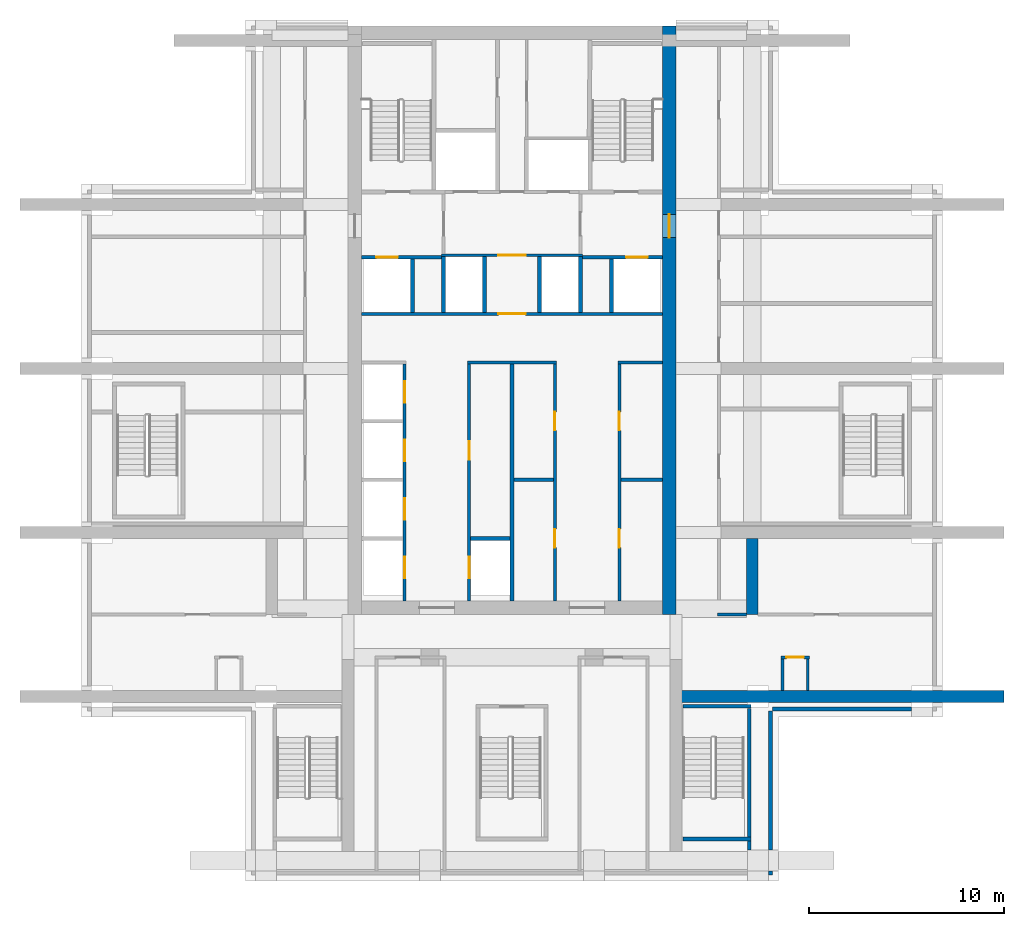
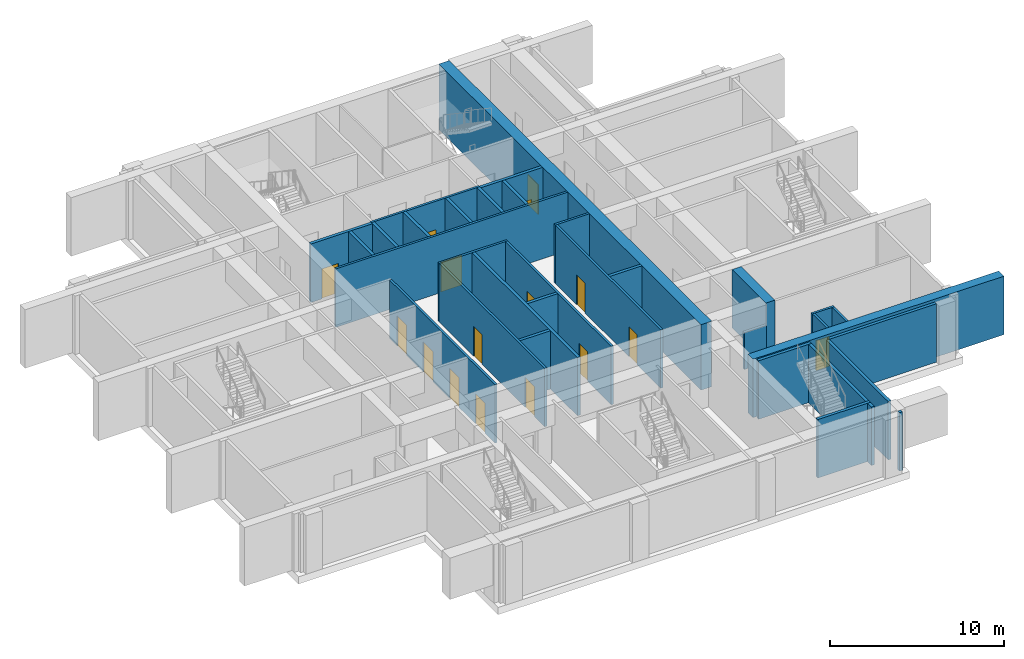
# One storey, part 3 of 10: 33 walls, 16 doors, 16 openings.
"""IFC4 building model written with IfcOpenShell, lengths in metres."""

from ifc_helpers import new_model, si_unit, direction, frame, frame_2d, origin, place, context, subcontext, project, spatial, rectangle, extrude, material, layer, layer_set, type_object, element, fill, save


model = new_model("IFC4")

# Units and contexts
model_context = context("Model", 3, precision=1e-05, world=origin(), true_north=direction((0.0, 1.0)))
body_context = subcontext(model_context, "Body", "Model", "MODEL_VIEW")
ifc_project = project(units=[si_unit("LENGTHUNIT", "METRE"), si_unit("AREAUNIT", "SQUARE_METRE"), si_unit("VOLUMEUNIT", "CUBIC_METRE"), si_unit("PLANEANGLEUNIT", "RADIAN"), si_unit("MASSUNIT", "GRAM", prefix="KILO")], contexts=[model_context])

# Site, building, storey
site_placement = place(None, origin())
site = spatial("IfcSite", under=ifc_project, at=site_placement, CompositionType="ELEMENT")
building_placement = place(site_placement, origin())
building = spatial("IfcBuilding", under=site, at=building_placement, Name="Vermilion Ogive Tower", CompositionType="ELEMENT")
storey_placement = place(building_placement, frame((0.0, 0.0, 171.050048828125)))
storey = spatial("IfcBuildingStorey", under=building, at=storey_placement, Name="L44", CompositionType="ELEMENT", Elevation=171.050048828125)

# Wall
ifc_material_1 = material(Name="Concrete B60", Category="concrete")
ifc_layer_1 = layer(ifc_material_1, 0.60009765625)
ifc_layer_set_1 = layer_set([ifc_layer_1], Name="Outrigger wall 600 B60")
wall_type_1 = type_object("IfcWallType", Name="Outrigger wall 600 B60", PredefinedType="SHEAR", material=ifc_layer_set_1)
wall_1_placement = place(storey_placement, frame((8.550048828125, -12.60009765625, 0.0), z_axis=(0.0, 0.0, 1.0), x_axis=(1.0, 0.0, 0.0)))
element("IfcWall", 1, at=wall_1_placement, inside=storey, type_object=wall_type_1, Name="L44-OW-EWE-12.6", PredefinedType="SHEAR", context=body_context, shape_type="SweptSolid", body=[
    extrude(rectangle(XDim=16.64990234375, YDim=0.60009765625, at=frame_2d((8.324951171875, 0.0))), origin(), (0.0, 0.0, 1.0), 4.099853515625),
])

# Wall, opening, door
ifc_material_2 = material(Name="Gypsum board partition on steel studs", Category="steel")
ifc_layer_2 = layer(ifc_material_2, 0.14990234375)
ifc_layer_set_2 = layer_set([ifc_layer_2], Name="Partition 150 corridor")
wall_type_2 = type_object("IfcWallType", Name="Partition 150 corridor", PredefinedType="PARTITIONING", material=ifc_layer_set_2)
wall_2_placement = place(storey_placement, frame((13.77490234375, -10.60009765625, 0.0), z_axis=(0.0, 0.0, 1.0), x_axis=(1.0, 0.0, 0.0)))
wall_2 = element("IfcWall", 2, at=wall_2_placement, inside=storey, type_object=wall_type_2, Name="L44-FS-W-W004", PredefinedType="PARTITIONING", context=body_context, shape_type="SweptSolid", body=[
    extrude(rectangle(XDim=1.4501953125, YDim=0.14990234375, at=frame_2d((0.72509765625, 0.0))), origin(), (0.0, 0.0, 1.0), 4.099853515625),
])
opening_1_placement = place(wall_2_placement, frame((0.275146484375, 0.0, 0.0)))
opening_1 = element("IfcOpeningElement", 3, at=opening_1_placement, cuts=wall_2, Name="Opening L44S016", PredefinedType="OPENING", context=body_context, shape_type="SweptSolid", body=[
    extrude(rectangle(XDim=0.89990234375, YDim=2.10009765625, at=frame_2d((0.449951171875, 1.050048828125))), frame((0.0, 0.0849609375, 0.0), z_axis=(0.0, -1.0, 0.0), x_axis=(1.0, 0.0, 0.0)), (0.0, 0.0, 1.0), 0.169921875),
])
ifc_material_3 = material(Name="Timber door leaf", Category="wood")
door_type_1 = type_object("IfcDoorType", Name="Room door 900 x 2100 FD30", OperationType="SINGLE_SWING_LEFT", PredefinedType="DOOR", material=ifc_material_3)
door_1_placement = place(opening_1_placement, origin())
door_1 = element("IfcDoor", 4, at=door_1_placement, inside=storey, type_object=door_type_1, Name="L44-FS-D-D016", OperationType="SINGLE_SWING_RIGHT", OverallHeight=2.10009765625, OverallWidth=0.89990234375, PredefinedType="DOOR", context=body_context, shape_type="SweptSolid", body=[
    extrude(rectangle(XDim=0.89990234375, YDim=2.10009765625, at=frame_2d((0.449951171875, 1.050048828125))), frame((0.0, 0.02490234375, 0.0), z_axis=(0.0, -1.0, 0.0), x_axis=(1.0, 0.0, 0.0)), (0.0, 0.0, 1.0), 0.050048828125),
])
fill(opening_1, door_1)

# Walls
wall_3_placement = place(storey_placement, frame((10.52490234375, -8.39990234375, 0.0), z_axis=(0.0, 0.0, 1.0), x_axis=(1.0, 0.0, 0.0)))
element("IfcWall", 5, at=wall_3_placement, inside=storey, type_object=wall_type_2, Name="L44-FS-W-W006a", PredefinedType="PARTITIONING", context=body_context, shape_type="SweptSolid", body=[
    extrude(rectangle(XDim=1.47412109375, YDim=0.14990234375, at=frame_2d((0.737060546875, 0.0))), origin(), (0.0, 0.0, 1.0), 2.599853515625),
])
for number, where, z_axis, x_axis, name in (
    (6, (13.85009765625, -12.299072265625, 0.0), (0.0, 0.0, 1.0), (0.0, 1.0, 0.0), "L44-FS-W-W027"),
    (7, (15.14990234375, -12.299072265625, 0.0), (0.0, 0.0, 1.0), (0.0, 1.0, 0.0), "L44-FS-W-W028"),
):
    element("IfcWall", number, at=place(storey_placement, frame(where, z_axis=z_axis, x_axis=x_axis)), inside=storey, type_object=wall_type_2, Name=name, PredefinedType="PARTITIONING", context=body_context, shape_type="SweptSolid", body=[
        extrude(rectangle(XDim=1.6240234375, YDim=0.14990234375, at=frame_2d((0.81201171875, 0.0))), origin(), (0.0, 0.0, 1.0), 4.099853515625),
    ])
wall_4_placement = place(storey_placement, frame((-2.27490234375, 4.5, 0.0), z_axis=(0.0, 0.0, 1.0), x_axis=(1.0, 0.0, 0.0)))
element("IfcWall", 8, at=wall_4_placement, inside=storey, type_object=wall_type_2, Name="L44-CK-W-W008", PredefinedType="PARTITIONING", context=body_context, shape_type="SweptSolid", body=[
    extrude(rectangle(XDim=4.5498046875, YDim=0.14990234375, at=frame_2d((2.27490234375, 0.0))), origin(), (0.0, 0.0, 1.0), 4.099853515625),
])
wall_5_placement = place(storey_placement, frame((5.425048828125, 4.5, 0.0), z_axis=(0.0, 0.0, 1.0), x_axis=(1.0, 0.0, 0.0)))
element("IfcWall", 9, at=wall_5_placement, inside=storey, type_object=wall_type_2, Name="L44-CK-W-W009", PredefinedType="PARTITIONING", context=body_context, shape_type="SweptSolid", body=[
    extrude(rectangle(XDim=2.27392578125, YDim=0.14990234375, at=frame_2d((1.136962890625, 0.0))), origin(), (0.0, 0.0, 1.0), 4.099853515625),
])

# Wall, opening, door
wall_6_placement = place(storey_placement, frame((-7.698974609375, 7.0, 0.0), z_axis=(0.0, 0.0, 1.0), x_axis=(1.0, 0.0, 0.0)))
wall_6 = element("IfcWall", 10, at=wall_6_placement, inside=storey, type_object=wall_type_2, Name="L44-CK-W-W010", PredefinedType="PARTITIONING", context=body_context, shape_type="SweptSolid", body=[
    extrude(rectangle(XDim=15.39794921875, YDim=0.14990234375, at=frame_2d((7.698974609375, 0.0))), origin(), (0.0, 0.0, 1.0), 4.099853515625),
])
opening_2_placement = place(wall_6_placement, frame((6.9990234375, 0.0, 0.0)))
opening_2 = element("IfcOpeningElement", 11, at=opening_2_placement, cuts=wall_6, Name="Opening DAF025", PredefinedType="OPENING", context=body_context, shape_type="SweptSolid", body=[
    extrude(rectangle(XDim=1.39990234375, YDim=2.10009765625, at=frame_2d((0.699951171875, 1.050048828125))), frame((0.0, 0.0849609375, 0.0), z_axis=(0.0, -1.0, 0.0), x_axis=(1.0, 0.0, 0.0)), (0.0, 0.0, 1.0), 0.169921875),
])
ifc_material_4 = material(Name="Timber door leaf", Category="wood")
door_type_2 = type_object("IfcDoorType", Name="Lobby door 1400 x 2100 FD60S", OperationType="SINGLE_SWING_LEFT", PredefinedType="DOOR", material=ifc_material_4)
door_2_placement = place(opening_2_placement, origin())
door_2 = element("IfcDoor", 12, at=door_2_placement, inside=storey, type_object=door_type_2, Name="L44-CK-D-D015", OperationType="SINGLE_SWING_RIGHT", OverallHeight=2.10009765625, OverallWidth=1.39990234375, PredefinedType="DOOR", context=body_context, shape_type="SweptSolid", body=[
    extrude(rectangle(XDim=1.39990234375, YDim=2.10009765625, at=frame_2d((0.699951171875, 1.050048828125))), frame((0.0, 0.02490234375, 0.0), z_axis=(0.0, -1.0, 0.0), x_axis=(1.0, 0.0, 0.0)), (0.0, 0.0, 1.0), 0.050048828125),
])
fill(opening_2, door_2)

wall_7_placement = place(storey_placement, frame((-3.60009765625, 10.0, 0.0), z_axis=(0.0, 0.0, 1.0), x_axis=(1.0, 0.0, 0.0)))
wall_7 = element("IfcWall", 13, at=wall_7_placement, inside=storey, type_object=wall_type_2, Name="L44-CK-W-W013", PredefinedType="PARTITIONING", context=body_context, shape_type="SweptSolid", body=[
    extrude(rectangle(XDim=7.2001953125, YDim=0.14990234375, at=frame_2d((3.60009765625, 0.0))), origin(), (0.0, 0.0, 1.0), 4.099853515625),
])
opening_3_placement = place(wall_7_placement, frame((2.900146484375, 0.0, 0.0)))
opening_3 = element("IfcOpeningElement", 14, at=opening_3_placement, cuts=wall_7, Name="Opening DAF026", PredefinedType="OPENING", context=body_context, shape_type="SweptSolid", body=[
    extrude(rectangle(XDim=1.39990234375, YDim=2.10009765625, at=frame_2d((0.699951171875, 1.050048828125))), frame((0.0, 0.0849609375, 0.0), z_axis=(0.0, -1.0, 0.0), x_axis=(1.0, 0.0, 0.0)), (0.0, 0.0, 1.0), 0.169921875),
])
door_3_placement = place(opening_3_placement, origin())
door_3 = element("IfcDoor", 15, at=door_3_placement, inside=storey, type_object=door_type_2, Name="L44-CK-D-D016", OperationType="SINGLE_SWING_RIGHT", OverallHeight=2.10009765625, OverallWidth=1.39990234375, PredefinedType="DOOR", context=body_context, shape_type="SweptSolid", body=[
    extrude(rectangle(XDim=1.39990234375, YDim=2.10009765625, at=frame_2d((0.699951171875, 1.050048828125))), frame((0.0, 0.02490234375, 0.0), z_axis=(0.0, -1.0, 0.0), x_axis=(1.0, 0.0, 0.0)), (0.0, 0.0, 1.0), 0.050048828125),
])
fill(opening_3, door_3)

# Wall, openings, doors
wall_8_placement = place(storey_placement, frame((-5.5, -7.698974609375, 0.0), z_axis=(0.0, 0.0, 1.0), x_axis=(0.0, 1.0, 0.0)))
wall_8 = element("IfcWall", 16, at=wall_8_placement, inside=storey, type_object=wall_type_2, Name="L44-CK-W-W019", PredefinedType="PARTITIONING", context=body_context, shape_type="SweptSolid", body=[
    extrude(rectangle(XDim=12.1240234375, YDim=0.14990234375, at=frame_2d((6.06201171875, 0.0))), origin(), (0.0, 0.0, 1.0), 4.099853515625),
])
opening_4_placement = place(wall_8_placement, frame((1.14892578125, 0.0, 0.0)))
opening_4 = element("IfcOpeningElement", 17, at=opening_4_placement, cuts=wall_8, Name="Opening DAF037", PredefinedType="OPENING", context=body_context, shape_type="SweptSolid", body=[
    extrude(rectangle(XDim=1.10009765625, YDim=2.10009765625, at=frame_2d((0.550048828125, 1.050048828125))), frame((0.0, 0.0849609375, 0.0), z_axis=(0.0, -1.0, 0.0), x_axis=(1.0, 0.0, 0.0)), (0.0, 0.0, 1.0), 0.169921875),
])
opening_5_placement = place(wall_8_placement, frame((4.14892578125, 0.0, 0.0)))
opening_5 = element("IfcOpeningElement", 18, at=opening_5_placement, cuts=wall_8, Name="Opening DAF038", PredefinedType="OPENING", context=body_context, shape_type="SweptSolid", body=[
    extrude(rectangle(XDim=1.10009765625, YDim=2.10009765625, at=frame_2d((0.550048828125, 1.050048828125))), frame((0.0, 0.0849609375, 0.0), z_axis=(0.0, -1.0, 0.0), x_axis=(1.0, 0.0, 0.0)), (0.0, 0.0, 1.0), 0.169921875),
])
opening_6_placement = place(wall_8_placement, frame((7.14892578125, 0.0, 0.0)))
opening_6 = element("IfcOpeningElement", 19, at=opening_6_placement, cuts=wall_8, Name="Opening DAF039", PredefinedType="OPENING", context=body_context, shape_type="SweptSolid", body=[
    extrude(rectangle(XDim=1.10009765625, YDim=2.10009765625, at=frame_2d((0.550048828125, 1.050048828125))), frame((0.0, 0.0849609375, 0.0), z_axis=(0.0, -1.0, 0.0), x_axis=(1.0, 0.0, 0.0)), (0.0, 0.0, 1.0), 0.169921875),
])
opening_7_placement = place(wall_8_placement, frame((10.14892578125, 0.0, 0.0)))
opening_7 = element("IfcOpeningElement", 20, at=opening_7_placement, cuts=wall_8, Name="Opening DAF040", PredefinedType="OPENING", context=body_context, shape_type="SweptSolid", body=[
    extrude(rectangle(XDim=1.10009765625, YDim=2.10009765625, at=frame_2d((0.550048828125, 1.050048828125))), frame((0.0, 0.0849609375, 0.0), z_axis=(0.0, -1.0, 0.0), x_axis=(1.0, 0.0, 0.0)), (0.0, 0.0, 1.0), 0.169921875),
])
ifc_material_5 = material(Name="Stainless steel", Category="steel")
door_type_3 = type_object("IfcDoorType", Name="Lift landing door 1100 x 2100", OperationType="SLIDING_TO_LEFT", PredefinedType="DOOR", material=ifc_material_5)
door_4_placement = place(opening_4_placement, origin())
door_4 = element("IfcDoor", 21, at=door_4_placement, inside=storey, type_object=door_type_3, Name="L44-CK-D-D001", OperationType="SLIDING_TO_LEFT", OverallHeight=2.10009765625, OverallWidth=1.10009765625, PredefinedType="DOOR", context=body_context, shape_type="SweptSolid", body=[
    extrude(rectangle(XDim=1.10009765625, YDim=2.10009765625, at=frame_2d((0.550048828125, 1.050048828125))), frame((0.0, 0.02490234375, 0.0), z_axis=(0.0, -1.0, 0.0), x_axis=(1.0, 0.0, 0.0)), (0.0, 0.0, 1.0), 0.050048828125),
])
fill(opening_4, door_4)
door_5_placement = place(opening_5_placement, origin())
door_5 = element("IfcDoor", 22, at=door_5_placement, inside=storey, type_object=door_type_3, Name="L44-CK-D-D002", OperationType="SLIDING_TO_LEFT", OverallHeight=2.10009765625, OverallWidth=1.10009765625, PredefinedType="DOOR", context=body_context, shape_type="SweptSolid", body=[
    extrude(rectangle(XDim=1.10009765625, YDim=2.10009765625, at=frame_2d((0.550048828125, 1.050048828125))), frame((0.0, 0.02490234375, 0.0), z_axis=(0.0, -1.0, 0.0), x_axis=(1.0, 0.0, 0.0)), (0.0, 0.0, 1.0), 0.050048828125),
])
fill(opening_5, door_5)
door_6_placement = place(opening_6_placement, origin())
door_6 = element("IfcDoor", 23, at=door_6_placement, inside=storey, type_object=door_type_3, Name="L44-CK-D-D003", OperationType="SLIDING_TO_LEFT", OverallHeight=2.10009765625, OverallWidth=1.10009765625, PredefinedType="DOOR", context=body_context, shape_type="SweptSolid", body=[
    extrude(rectangle(XDim=1.10009765625, YDim=2.10009765625, at=frame_2d((0.550048828125, 1.050048828125))), frame((0.0, 0.02490234375, 0.0), z_axis=(0.0, -1.0, 0.0), x_axis=(1.0, 0.0, 0.0)), (0.0, 0.0, 1.0), 0.050048828125),
])
fill(opening_6, door_6)
door_7_placement = place(opening_7_placement, origin())
door_7 = element("IfcDoor", 24, at=door_7_placement, inside=storey, type_object=door_type_3, Name="L44-CK-D-D004", OperationType="SLIDING_TO_LEFT", OverallHeight=2.10009765625, OverallWidth=1.10009765625, PredefinedType="DOOR", context=body_context, shape_type="SweptSolid", body=[
    extrude(rectangle(XDim=1.10009765625, YDim=2.10009765625, at=frame_2d((0.550048828125, 1.050048828125))), frame((0.0, 0.02490234375, 0.0), z_axis=(0.0, -1.0, 0.0), x_axis=(1.0, 0.0, 0.0)), (0.0, 0.0, 1.0), 0.050048828125),
])
fill(opening_7, door_7)

wall_9_placement = place(storey_placement, frame((-2.199951171875, -7.698974609375, 0.0), z_axis=(0.0, 0.0, 1.0), x_axis=(0.0, 1.0, 0.0)))
wall_9 = element("IfcWall", 25, at=wall_9_placement, inside=storey, type_object=wall_type_2, Name="L44-CK-W-W024", PredefinedType="PARTITIONING", context=body_context, shape_type="SweptSolid", body=[
    extrude(rectangle(XDim=12.1240234375, YDim=0.14990234375, at=frame_2d((6.06201171875, 0.0))), origin(), (0.0, 0.0, 1.0), 4.099853515625),
])
opening_8_placement = place(wall_9_placement, frame((1.14892578125, 0.0, 0.0)))
opening_8 = element("IfcOpeningElement", 26, at=opening_8_placement, cuts=wall_9, Name="Opening DAF041", PredefinedType="OPENING", context=body_context, shape_type="SweptSolid", body=[
    extrude(rectangle(XDim=1.10009765625, YDim=2.10009765625, at=frame_2d((0.550048828125, 1.050048828125))), frame((0.0, 0.0849609375, 0.0), z_axis=(0.0, -1.0, 0.0), x_axis=(1.0, 0.0, 0.0)), (0.0, 0.0, 1.0), 0.169921875),
])
opening_9_placement = place(wall_9_placement, frame((7.223876953125, 0.0, 0.0)))
opening_9 = element("IfcOpeningElement", 27, at=opening_9_placement, cuts=wall_9, Name="Opening DAF028", PredefinedType="OPENING", context=body_context, shape_type="SweptSolid", body=[
    extrude(rectangle(XDim=0.949951171875, YDim=2.10009765625, at=frame_2d((0.47509765625, 1.050048828125))), frame((0.0, 0.0849609375, 0.0), z_axis=(0.0, -1.0, 0.0), x_axis=(1.0, 0.0, 0.0)), (0.0, 0.0, 1.0), 0.169921875),
])
door_8_placement = place(opening_8_placement, origin())
door_8 = element("IfcDoor", 28, at=door_8_placement, inside=storey, type_object=door_type_3, Name="L44-CK-D-D005", OperationType="SLIDING_TO_LEFT", OverallHeight=2.10009765625, OverallWidth=1.10009765625, PredefinedType="DOOR", context=body_context, shape_type="SweptSolid", body=[
    extrude(rectangle(XDim=1.10009765625, YDim=2.10009765625, at=frame_2d((0.550048828125, 1.050048828125))), frame((0.0, 0.02490234375, 0.0), z_axis=(0.0, -1.0, 0.0), x_axis=(1.0, 0.0, 0.0)), (0.0, 0.0, 1.0), 0.050048828125),
])
fill(opening_8, door_8)
ifc_material_6 = material(Name="Timber door leaf", Category="wood")
door_type_4 = type_object("IfcDoorType", Name="Service door 950 x 2100 FD60", OperationType="SINGLE_SWING_LEFT", PredefinedType="DOOR", material=ifc_material_6)
door_9_placement = place(opening_9_placement, origin())
door_9 = element("IfcDoor", 29, at=door_9_placement, inside=storey, type_object=door_type_4, Name="L44-CK-D-D006", OperationType="SINGLE_SWING_RIGHT", OverallHeight=2.10009765625, OverallWidth=0.949951171875, PredefinedType="DOOR", context=body_context, shape_type="SweptSolid", body=[
    extrude(rectangle(XDim=0.949951171875, YDim=2.10009765625, at=frame_2d((0.47509765625, 1.050048828125))), frame((0.0, 0.02490234375, 0.0), z_axis=(0.0, -1.0, 0.0), x_axis=(1.0, 0.0, 0.0)), (0.0, 0.0, 1.0), 0.050048828125),
])
fill(opening_9, door_9)

wall_10_placement = place(storey_placement, frame((2.199951171875, -7.698974609375, 0.0), z_axis=(0.0, 0.0, 1.0), x_axis=(0.0, 1.0, 0.0)))
wall_10 = element("IfcWall", 30, at=wall_10_placement, inside=storey, type_object=wall_type_2, Name="L44-CK-W-W031", PredefinedType="PARTITIONING", context=body_context, shape_type="SweptSolid", body=[
    extrude(rectangle(XDim=12.1240234375, YDim=0.14990234375, at=frame_2d((6.06201171875, 0.0))), origin(), (0.0, 0.0, 1.0), 4.099853515625),
])
opening_10_placement = place(wall_10_placement, frame((2.723876953125, 0.0, 0.0)))
opening_10 = element("IfcOpeningElement", 31, at=opening_10_placement, cuts=wall_10, Name="Opening DAF029", PredefinedType="OPENING", context=body_context, shape_type="SweptSolid", body=[
    extrude(rectangle(XDim=0.949951171875, YDim=2.10009765625, at=frame_2d((0.47509765625, 1.050048828125))), frame((0.0, 0.0849609375, 0.0), z_axis=(0.0, -1.0, 0.0), x_axis=(1.0, 0.0, 0.0)), (0.0, 0.0, 1.0), 0.169921875),
])
opening_11_placement = place(wall_10_placement, frame((8.723876953125, 0.0, 0.0)))
opening_11 = element("IfcOpeningElement", 32, at=opening_11_placement, cuts=wall_10, Name="Opening DAF030", PredefinedType="OPENING", context=body_context, shape_type="SweptSolid", body=[
    extrude(rectangle(XDim=0.949951171875, YDim=2.10009765625, at=frame_2d((0.47509765625, 1.050048828125))), frame((0.0, 0.0849609375, 0.0), z_axis=(0.0, -1.0, 0.0), x_axis=(1.0, 0.0, 0.0)), (0.0, 0.0, 1.0), 0.169921875),
])
door_10_placement = place(opening_10_placement, origin())
door_10 = element("IfcDoor", 33, at=door_10_placement, inside=storey, type_object=door_type_4, Name="L44-CK-D-D007", OperationType="SINGLE_SWING_RIGHT", OverallHeight=2.10009765625, OverallWidth=0.949951171875, PredefinedType="DOOR", context=body_context, shape_type="SweptSolid", body=[
    extrude(rectangle(XDim=0.949951171875, YDim=2.10009765625, at=frame_2d((0.47509765625, 1.050048828125))), frame((0.0, 0.02490234375, 0.0), z_axis=(0.0, -1.0, 0.0), x_axis=(1.0, 0.0, 0.0)), (0.0, 0.0, 1.0), 0.050048828125),
])
fill(opening_10, door_10)
door_11_placement = place(opening_11_placement, origin())
door_11 = element("IfcDoor", 34, at=door_11_placement, inside=storey, type_object=door_type_4, Name="L44-CK-D-D008", OperationType="SINGLE_SWING_RIGHT", OverallHeight=2.10009765625, OverallWidth=0.949951171875, PredefinedType="DOOR", context=body_context, shape_type="SweptSolid", body=[
    extrude(rectangle(XDim=0.949951171875, YDim=2.10009765625, at=frame_2d((0.47509765625, 1.050048828125))), frame((0.0, 0.02490234375, 0.0), z_axis=(0.0, -1.0, 0.0), x_axis=(1.0, 0.0, 0.0)), (0.0, 0.0, 1.0), 0.050048828125),
])
fill(opening_11, door_11)

wall_11_placement = place(storey_placement, frame((5.5, -7.698974609375, 0.0), z_axis=(0.0, 0.0, 1.0), x_axis=(0.0, 1.0, 0.0)))
wall_11 = element("IfcWall", 35, at=wall_11_placement, inside=storey, type_object=wall_type_2, Name="L44-CK-W-W037", PredefinedType="PARTITIONING", context=body_context, shape_type="SweptSolid", body=[
    extrude(rectangle(XDim=12.1240234375, YDim=0.14990234375, at=frame_2d((6.06201171875, 0.0))), origin(), (0.0, 0.0, 1.0), 4.099853515625),
])
opening_12_placement = place(wall_11_placement, frame((2.723876953125, 0.0, 0.0)))
opening_12 = element("IfcOpeningElement", 36, at=opening_12_placement, cuts=wall_11, Name="Opening DAF031", PredefinedType="OPENING", context=body_context, shape_type="SweptSolid", body=[
    extrude(rectangle(XDim=0.949951171875, YDim=2.10009765625, at=frame_2d((0.47509765625, 1.050048828125))), frame((0.0, 0.0849609375, 0.0), z_axis=(0.0, -1.0, 0.0), x_axis=(1.0, 0.0, 0.0)), (0.0, 0.0, 1.0), 0.169921875),
])
opening_13_placement = place(wall_11_placement, frame((8.723876953125, 0.0, 0.0)))
opening_13 = element("IfcOpeningElement", 37, at=opening_13_placement, cuts=wall_11, Name="Opening DAF032", PredefinedType="OPENING", context=body_context, shape_type="SweptSolid", body=[
    extrude(rectangle(XDim=0.949951171875, YDim=2.10009765625, at=frame_2d((0.47509765625, 1.050048828125))), frame((0.0, 0.0849609375, 0.0), z_axis=(0.0, -1.0, 0.0), x_axis=(1.0, 0.0, 0.0)), (0.0, 0.0, 1.0), 0.169921875),
])
door_12_placement = place(opening_12_placement, origin())
door_12 = element("IfcDoor", 38, at=door_12_placement, inside=storey, type_object=door_type_4, Name="L44-CK-D-D009", OperationType="SINGLE_SWING_LEFT", OverallHeight=2.10009765625, OverallWidth=0.949951171875, PredefinedType="DOOR", context=body_context, shape_type="SweptSolid", body=[
    extrude(rectangle(XDim=0.949951171875, YDim=2.10009765625, at=frame_2d((0.47509765625, 1.050048828125))), frame((0.0, 0.02490234375, 0.0), z_axis=(0.0, -1.0, 0.0), x_axis=(1.0, 0.0, 0.0)), (0.0, 0.0, 1.0), 0.050048828125),
])
fill(opening_12, door_12)
door_13_placement = place(opening_13_placement, origin())
door_13 = element("IfcDoor", 39, at=door_13_placement, inside=storey, type_object=door_type_4, Name="L44-CK-D-D010", OperationType="SINGLE_SWING_LEFT", OverallHeight=2.10009765625, OverallWidth=0.949951171875, PredefinedType="DOOR", context=body_context, shape_type="SweptSolid", body=[
    extrude(rectangle(XDim=0.949951171875, YDim=2.10009765625, at=frame_2d((0.47509765625, 1.050048828125))), frame((0.0, 0.02490234375, 0.0), z_axis=(0.0, -1.0, 0.0), x_axis=(1.0, 0.0, 0.0)), (0.0, 0.0, 1.0), 0.050048828125),
])
fill(opening_13, door_13)

# Walls
ifc_material_7 = material(Name="Gypsum board partition on steel studs", Category="steel")
ifc_layer_3 = layer(ifc_material_7, 0.199951171875)
ifc_layer_set_3 = layer_set([ifc_layer_3], Name="Partition 200 party")
wall_type_3 = type_object("IfcWallType", Name="Partition 200 party", PredefinedType="PARTITIONING", material=ifc_layer_set_3)
for number, where, z_axis, x_axis, name in (
    (40, (-2.125, -4.5, 0.0), (0.0, 0.0, 1.0), (1.0, 0.0, 0.0), "L44-CK-W-W002"),
    (41, (0.10009765625, -1.5, 0.0), (0.0, 0.0, 1.0), (1.0, 0.0, 0.0), "L44-CK-W-W004"),
):
    element("IfcWall", number, at=place(storey_placement, frame(where, z_axis=z_axis, x_axis=x_axis)), inside=storey, type_object=wall_type_3, Name=name, PredefinedType="PARTITIONING", context=body_context, shape_type="SweptSolid", body=[
        extrude(rectangle(XDim=2.02490234375, YDim=0.199951171875, at=frame_2d((1.012451171875, 0.0))), origin(), (0.0, 0.0, 1.0), 4.099853515625),
    ])
wall_12_placement = place(storey_placement, frame((5.574951171875, -1.5, 0.0), z_axis=(0.0, 0.0, 1.0), x_axis=(1.0, 0.0, 0.0)))
element("IfcWall", 42, at=wall_12_placement, inside=storey, type_object=wall_type_3, Name="L44-CK-W-W005", PredefinedType="PARTITIONING", context=body_context, shape_type="SweptSolid", body=[
    extrude(rectangle(XDim=2.1240234375, YDim=0.199951171875, at=frame_2d((1.06201171875, 0.0))), origin(), (0.0, 0.0, 1.0), 4.099853515625),
])

# Wall, opening, door
wall_13_placement = place(storey_placement, frame((-7.698974609375, 9.89990234375, 0.0), z_axis=(0.0, 0.0, 1.0), x_axis=(1.0, 0.0, 0.0)))
wall_13 = element("IfcWall", 43, at=wall_13_placement, inside=storey, type_object=wall_type_3, Name="L44-CK-W-W011", PredefinedType="PARTITIONING", context=body_context, shape_type="SweptSolid", body=[
    extrude(rectangle(XDim=4.098876953125, YDim=0.199951171875, at=frame_2d((2.04931640625, 0.0))), origin(), (0.0, 0.0, 1.0), 4.099853515625),
])
opening_14_placement = place(wall_13_placement, frame((0.7490234375, 0.0, 0.0)))
opening_14 = element("IfcOpeningElement", 44, at=opening_14_placement, cuts=wall_13, Name="Opening DAF042", PredefinedType="OPENING", context=body_context, shape_type="SweptSolid", body=[
    extrude(rectangle(XDim=1.10009765625, YDim=2.10009765625, at=frame_2d((0.550048828125, 1.050048828125))), frame((0.0, 0.10986328125, 0.0), z_axis=(0.0, -1.0, 0.0), x_axis=(1.0, 0.0, 0.0)), (0.0, 0.0, 1.0), 0.219970703125),
])
door_14_placement = place(opening_14_placement, origin())
door_14 = element("IfcDoor", 45, at=door_14_placement, inside=storey, type_object=door_type_3, Name="L44-CK-D-D012", OperationType="SLIDING_TO_RIGHT", OverallHeight=2.10009765625, OverallWidth=1.10009765625, PredefinedType="DOOR", context=body_context, shape_type="SweptSolid", body=[
    extrude(rectangle(XDim=1.10009765625, YDim=2.10009765625, at=frame_2d((0.550048828125, 1.050048828125))), frame((0.0, 0.02490234375, 0.0), z_axis=(0.0, -1.0, 0.0), x_axis=(1.0, 0.0, 0.0)), (0.0, 0.0, 1.0), 0.050048828125),
])
fill(opening_14, door_14)

wall_14_placement = place(storey_placement, frame((3.60009765625, 9.89990234375, 0.0), z_axis=(0.0, 0.0, 1.0), x_axis=(1.0, 0.0, 0.0)))
wall_14 = element("IfcWall", 46, at=wall_14_placement, inside=storey, type_object=wall_type_3, Name="L44-CK-W-W012", PredefinedType="PARTITIONING", context=body_context, shape_type="SweptSolid", body=[
    extrude(rectangle(XDim=4.098876953125, YDim=0.199951171875, at=frame_2d((2.04931640625, 0.0))), origin(), (0.0, 0.0, 1.0), 4.099853515625),
])
opening_15_placement = place(wall_14_placement, frame((2.25, 0.0, 0.0)))
opening_15 = element("IfcOpeningElement", 47, at=opening_15_placement, cuts=wall_14, Name="Opening DAF043", PredefinedType="OPENING", context=body_context, shape_type="SweptSolid", body=[
    extrude(rectangle(XDim=1.10009765625, YDim=2.10009765625, at=frame_2d((0.550048828125, 1.050048828125))), frame((0.0, 0.10986328125, 0.0), z_axis=(0.0, -1.0, 0.0), x_axis=(1.0, 0.0, 0.0)), (0.0, 0.0, 1.0), 0.219970703125),
])
door_15_placement = place(opening_15_placement, origin())
door_15 = element("IfcDoor", 48, at=door_15_placement, inside=storey, type_object=door_type_3, Name="L44-CK-D-D014", OperationType="SLIDING_TO_LEFT", OverallHeight=2.10009765625, OverallWidth=1.10009765625, PredefinedType="DOOR", context=body_context, shape_type="SweptSolid", body=[
    extrude(rectangle(XDim=1.10009765625, YDim=2.10009765625, at=frame_2d((0.550048828125, 1.050048828125))), frame((0.0, 0.02490234375, 0.0), z_axis=(0.0, -1.0, 0.0), x_axis=(1.0, 0.0, 0.0)), (0.0, 0.0, 1.0), 0.050048828125),
])
fill(opening_15, door_15)

# Walls
wall_15_placement = place(storey_placement, frame((-5.10009765625, 7.074951171875, 0.0), z_axis=(0.0, 0.0, 1.0), x_axis=(0.0, 1.0, 0.0)))
element("IfcWall", 49, at=wall_15_placement, inside=storey, type_object=wall_type_3, Name="L44-CK-W-W020", PredefinedType="PARTITIONING", context=body_context, shape_type="SweptSolid", body=[
    extrude(rectangle(XDim=2.72509765625, YDim=0.199951171875, at=frame_2d((1.362548828125, 0.0))), origin(), (0.0, 0.0, 1.0), 4.099853515625),
])
for number, where, z_axis, x_axis, name in (
    (50, (-3.5, 7.074951171875, 0.0), (0.0, 0.0, 1.0), (0.0, 1.0, 0.0), "L44-CK-W-W022"),
    (51, (-1.39990234375, 7.074951171875, 0.0), (0.0, 0.0, 1.0), (0.0, 1.0, 0.0), "L44-CK-W-W025"),
):
    element("IfcWall", number, at=place(storey_placement, frame(where, z_axis=z_axis, x_axis=x_axis)), inside=storey, type_object=wall_type_3, Name=name, PredefinedType="PARTITIONING", context=body_context, shape_type="SweptSolid", body=[
        extrude(rectangle(XDim=2.85009765625, YDim=0.199951171875, at=frame_2d((1.425048828125, 0.0))), origin(), (0.0, 0.0, 1.0), 4.099853515625),
    ])
wall_16_placement = place(storey_placement, frame((0.0, -7.698974609375, 0.0), z_axis=(0.0, 0.0, 1.0), x_axis=(0.0, 1.0, 0.0)))
element("IfcWall", 52, at=wall_16_placement, inside=storey, type_object=wall_type_3, Name="L44-CK-W-W027", PredefinedType="PARTITIONING", context=body_context, shape_type="SweptSolid", body=[
    extrude(rectangle(XDim=12.1240234375, YDim=0.199951171875, at=frame_2d((6.06201171875, 0.0))), origin(), (0.0, 0.0, 1.0), 4.099853515625),
])
for number, where, z_axis, x_axis, name in (
    (53, (1.39990234375, 7.074951171875, 0.0), (0.0, 0.0, 1.0), (0.0, 1.0, 0.0), "L44-CK-W-W030"),
    (54, (3.5, 7.074951171875, 0.0), (0.0, 0.0, 1.0), (0.0, 1.0, 0.0), "L44-CK-W-W032"),
):
    element("IfcWall", number, at=place(storey_placement, frame(where, z_axis=z_axis, x_axis=x_axis)), inside=storey, type_object=wall_type_3, Name=name, PredefinedType="PARTITIONING", context=body_context, shape_type="SweptSolid", body=[
        extrude(rectangle(XDim=2.85009765625, YDim=0.199951171875, at=frame_2d((1.425048828125, 0.0))), origin(), (0.0, 0.0, 1.0), 4.099853515625),
    ])
wall_17_placement = place(storey_placement, frame((5.10009765625, 7.074951171875, 0.0), z_axis=(0.0, 0.0, 1.0), x_axis=(0.0, 1.0, 0.0)))
element("IfcWall", 55, at=wall_17_placement, inside=storey, type_object=wall_type_3, Name="L44-CK-W-W036", PredefinedType="PARTITIONING", context=body_context, shape_type="SweptSolid", body=[
    extrude(rectangle(XDim=2.72509765625, YDim=0.199951171875, at=frame_2d((1.362548828125, 0.0))), origin(), (0.0, 0.0, 1.0), 4.099853515625),
])
ifc_material_8 = material(Name="Aluminium louvre panels", Category="aluminium")
ifc_layer_4 = layer(ifc_material_8, 0.199951171875)
ifc_layer_set_4 = layer_set([ifc_layer_4], Name="Plant louvre wall")
wall_type_4 = type_object("IfcWallType", Name="Plant louvre wall", PredefinedType="STANDARD", material=ifc_layer_set_4)
wall_18_placement = place(storey_placement, frame((13.14990234375, -21.64990234375, 0.0), z_axis=(0.0, 0.0, 1.0), x_axis=(1.0, 0.0, 0.0)))
element("IfcWall", 56, at=wall_18_placement, inside=storey, type_object=wall_type_4, Name="Window wall S4", PredefinedType="STANDARD", context=body_context, shape_type="SweptSolid", body=[
    extrude(rectangle(XDim=0.2001953125, YDim=0.199951171875, at=frame_2d((0.10009765625, 0.0))), origin(), (0.0, 0.0, 1.0), 4.099853515625),
])
for number, where, z_axis, x_axis, name in (
    (57, (13.25, -20.449951171875, 0.0), (0.0, 0.0, 1.0), (0.0, 1.0, 0.0), "Window wall X11"),
    (58, (13.35009765625, -13.25, 0.0), (0.0, 0.0, 1.0), (1.0, 0.0, 0.0), "Window wall X21"),
):
    element("IfcWall", number, at=place(storey_placement, frame(where, z_axis=z_axis, x_axis=x_axis)), inside=storey, type_object=wall_type_4, Name=name, PredefinedType="STANDARD", context=body_context, shape_type="SweptSolid", body=[
        extrude(rectangle(XDim=7.099853515625, YDim=0.199951171875, at=frame_2d((3.5498046875, 0.0))), origin(), (0.0, 0.0, 1.0), 4.099853515625),
    ])

# Wall, opening, door
ifc_material_9 = material(Name="Concrete B60", Category="concrete")
ifc_layer_5 = layer(ifc_material_9, 0.199951171875)
ifc_layer_set_5 = layer_set([ifc_layer_5], Name="Stair shaft wall 200 Concrete B60")
wall_type_5 = type_object("IfcWallType", Name="Stair shaft wall 200 Concrete B60", PredefinedType="SOLIDWALL", material=ifc_layer_set_5)
wall_19_placement = place(storey_placement, frame((8.050048828125, -8.39990234375, -0.5), z_axis=(0.0, 0.0, 1.0), x_axis=(0.0, 1.0, 0.0)))
wall_19 = element("IfcWall", 59, at=wall_19_placement, inside=storey, type_object=wall_type_5, Name="L44-CORE-E", PredefinedType="SOLIDWALL", context=body_context, shape_type="SweptSolid", body=[
    extrude(rectangle(XDim=30.14990234375, YDim=0.699951171875, at=frame_2d((15.074951171875, 0.0))), origin(), (0.0, 0.0, 1.0), 4.599853515625),
])
opening_16_placement = place(wall_19_placement, frame((19.300048828125, 0.0, 0.5)))
opening_16 = element("IfcOpeningElement", 60, at=opening_16_placement, cuts=wall_19, Name="Opening DBL002", PredefinedType="OPENING", context=body_context, shape_type="SweptSolid", body=[
    extrude(rectangle(XDim=1.199951171875, YDim=2.10009765625, at=frame_2d((0.60009765625, 1.050048828125))), frame((0.0, 0.35986328125, 0.0), z_axis=(0.0, -1.0, 0.0), x_axis=(1.0, 0.0, 0.0)), (0.0, 0.0, 1.0), 0.719970703125),
])
ifc_material_10 = material(Name="Timber door leaf", Category="wood")
door_type_5 = type_object("IfcDoorType", Name="Link door 1200 x 2100 FD60S", OperationType="SINGLE_SWING_LEFT", PredefinedType="DOOR", material=ifc_material_10)
door_16_placement = place(opening_16_placement, origin())
door_16 = element("IfcDoor", 61, at=door_16_placement, inside=storey, type_object=door_type_5, Name="L44-CK-XD4", OperationType="SINGLE_SWING_LEFT", OverallHeight=2.10009765625, OverallWidth=1.199951171875, PredefinedType="DOOR", context=body_context, shape_type="SweptSolid", body=[
    extrude(rectangle(XDim=1.199951171875, YDim=2.10009765625, at=frame_2d((0.60009765625, 1.050048828125))), frame((0.0, 0.02490234375, 0.0), z_axis=(0.0, -1.0, 0.0), x_axis=(1.0, 0.0, 0.0)), (0.0, 0.0, 1.0), 0.050048828125),
])
fill(opening_16, door_16)

# Walls
for number, where, z_axis, x_axis, name in (
    (62, (8.75, -19.89990234375, 0.0), (0.0, 0.0, 1.0), (1.0, 0.0, 0.0), "L44-SW-ST5-S1"),
    (63, (8.75, -13.10009765625, 0.0), (0.0, 0.0, 1.0), (1.0, 0.0, 0.0), "L44-SW-ST5-N1"),
):
    element("IfcWall", number, at=place(storey_placement, frame(where, z_axis=z_axis, x_axis=x_axis)), inside=storey, type_object=wall_type_5, Name=name, PredefinedType="SOLIDWALL", context=body_context, shape_type="SweptSolid", body=[
        extrude(rectangle(XDim=3.5, YDim=0.199951171875, at=frame_2d((1.75, 0.0))), origin(), (0.0, 0.0, 1.0), 4.099853515625),
    ])
wall_20_placement = place(storey_placement, frame((12.14990234375, -20.449951171875, 0.0), z_axis=(0.0, 0.0, 1.0), x_axis=(0.0, 1.0, 0.0)))
element("IfcWall", 64, at=wall_20_placement, inside=storey, type_object=wall_type_5, Name="L44-SW-ST5-E1-A", PredefinedType="SOLIDWALL", context=body_context, shape_type="SweptSolid", body=[
    extrude(rectangle(XDim=7.248046875, YDim=0.199951171875, at=frame_2d((3.6240234375, 0.0))), origin(), (0.0, 0.0, 1.0), 4.099853515625),
])
ifc_material_11 = material(Name="Concrete B60", Category="concrete")
ifc_layer_6 = layer(ifc_material_11, 0.60009765625)
ifc_layer_set_6 = layer_set([ifc_layer_6], Name="Transfer wall 600 B60")
wall_type_6 = type_object("IfcWallType", Name="Transfer wall 600 B60", PredefinedType="SHEAR", material=ifc_layer_set_6)
wall_21_placement = place(storey_placement, frame((12.300048828125, -8.39990234375, 0.0), z_axis=(0.0, 0.0, 1.0), x_axis=(0.0, 1.0, 0.0)))
element("IfcWall", 65, at=wall_21_placement, inside=storey, type_object=wall_type_6, Name="L44-TW-C1", PredefinedType="SHEAR", context=body_context, shape_type="SweptSolid", body=[
    extrude(rectangle(XDim=3.89501953125, YDim=0.60009765625, at=frame_2d((1.947509765625, 0.0))), origin(), (0.0, 0.0, 1.0), 4.099853515625),
])

save(model, "model.ifc")
